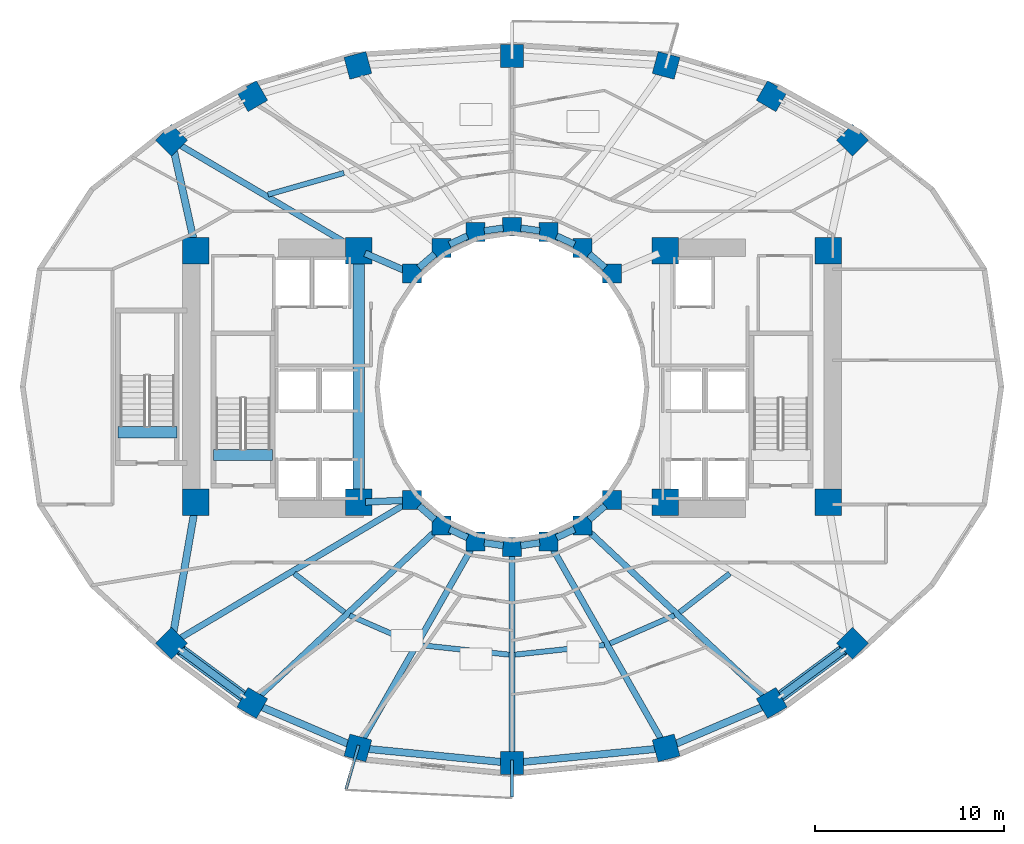
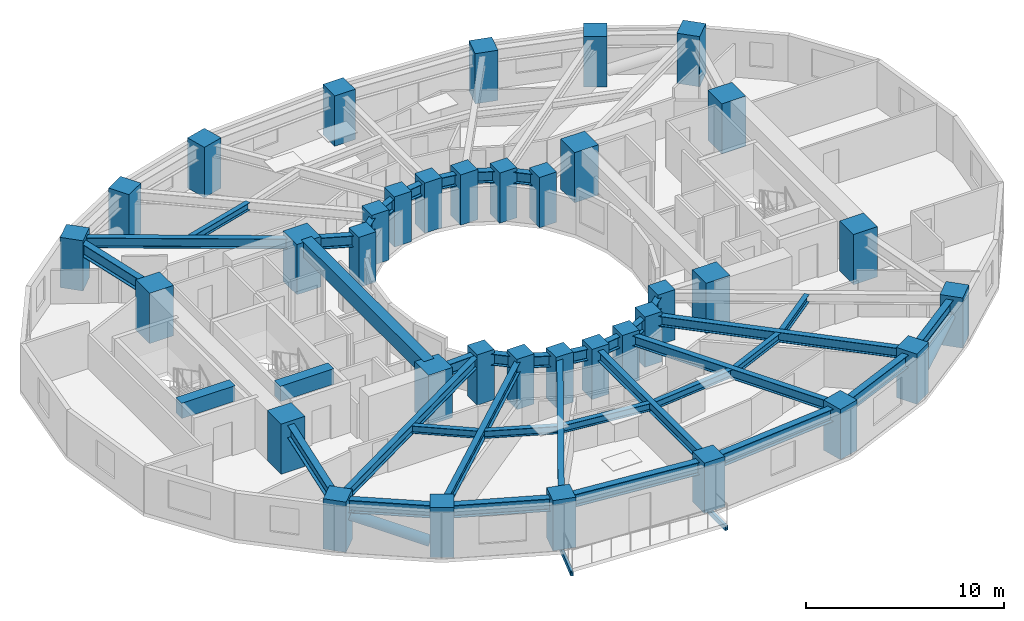
# One storey, part 1 of 10: 41 beams, 36 columns, 2 members.
"""IFC4 building model written with IfcOpenShell, lengths in metres."""

import ifcopenshell
import ifcopenshell.guid

model = None  # the IFC model being written
_history = None  # IfcOwnerHistory: only IFC2X3 demands one
_inside = {}  # id of a spatial element -> (the spatial element, [elements in it])
_under = {}  # id of a project, library or spatial element -> (it, [spatial elements below it])
_declared = {}  # id of a project -> (the project, [libraries it declares])
_typed = {}  # id of a type object -> (the type object, [elements of that type])
_made_of = {}  # id of a material, layer set ... -> (it, [elements and type objects made of it])


def new_model(schema):
    """Start an empty IFC model of exactly this schema.

    Asked for "IFC4X3", IfcOpenShell would pick the latest addendum, in which some entities
    have other attributes; the version numbers below select the first issue.
    IFC2X3 requires an IfcOwnerHistory on every rooted entity: one is made here for all.
    """
    global model, _history
    if schema == "IFC4X3":
        model = ifcopenshell.file(schema_version=(4, 3, 0, 0))
    else:
        model = ifcopenshell.file(schema=schema)
    _inside.clear()
    _under.clear()
    _declared.clear()
    _typed.clear()
    _made_of.clear()
    _history = None
    if model.schema == "IFC2X3":
        org = make("IfcOrganization", Name="unknown")
        user = make(
            "IfcPersonAndOrganization",
            ThePerson=make("IfcPerson", FamilyName="unknown"),
            TheOrganization=org,
        )
        app = make(
            "IfcApplication",
            ApplicationDeveloper=org,
            Version="unknown",
            ApplicationFullName="unknown",
            ApplicationIdentifier="unknown",
        )
        _history = make(
            "IfcOwnerHistory",
            OwningUser=user,
            OwningApplication=app,
            ChangeAction="ADDED",
            CreationDate=0,
        )
    return model


def make(cls, **values):
    """One entity of the class cls with the attributes given. An attribute that is None is left unset."""
    return model.create_entity(
        cls, **{name: value for name, value in values.items() if value is not None}
    )


def rooted(cls, **values):
    """An entity with a GlobalId (a new one), such as an element, a storey or a relation."""
    return make(cls, GlobalId=ifcopenshell.guid.new(), OwnerHistory=_history, **values)


def si_unit(unit_type, name, prefix=None):
    """IfcSIUnit, for example si_unit("LENGTHUNIT", "METRE", prefix="MILLI")."""
    return make("IfcSIUnit", UnitType=unit_type, Prefix=prefix, Name=name)


def assignment(units):
    """IfcUnitAssignment: the units of a project."""
    return None if units is None else make("IfcUnitAssignment", Units=units)


def point(xyz):
    """IfcCartesianPoint."""
    return None if xyz is None else make("IfcCartesianPoint", Coordinates=xyz)


def direction(xyz):
    """IfcDirection."""
    return None if xyz is None else make("IfcDirection", DirectionRatios=xyz)


def frame(location, z_axis=None, x_axis=None):
    """IfcAxis2Placement3D, a coordinate frame: its origin and axes. An axis left out is left unset."""
    return make(
        "IfcAxis2Placement3D",
        Location=point(location),
        Axis=direction(z_axis),
        RefDirection=direction(x_axis),
    )


def frame_2d(location, x_axis=None):
    """IfcAxis2Placement2D, a coordinate frame in the plane: its origin and x axis."""
    return make(
        "IfcAxis2Placement2D", Location=point(location), RefDirection=direction(x_axis)
    )


def origin():
    """The frame at (0, 0, 0) with its axes left unset."""
    return frame((0.0, 0.0, 0.0))


def origin_2d():
    """The frame at (0, 0) in the plane with its x axis left unset."""
    return frame_2d((0.0, 0.0))


def place(relative_to, where):
    """IfcLocalPlacement: puts the frame where relative to a parent placement (None: the world)."""
    return make(
        "IfcLocalPlacement", PlacementRelTo=relative_to, RelativePlacement=where
    )


def context(
    kind, dimensions, precision=None, world=None, true_north=None, identifier=None
):
    """IfcGeometricRepresentationContext, for example the 3D "Model" context."""
    return make(
        "IfcGeometricRepresentationContext",
        ContextIdentifier=identifier,
        ContextType=kind,
        CoordinateSpaceDimension=dimensions,
        Precision=precision,
        WorldCoordinateSystem=world,
        TrueNorth=true_north,
    )


def subcontext(parent, identifier, kind, view, scale=None):
    """IfcGeometricRepresentationSubContext, for example "Body" below "Model"."""
    return make(
        "IfcGeometricRepresentationSubContext",
        ContextIdentifier=identifier,
        ContextType=kind,
        ParentContext=parent,
        TargetScale=scale,
        TargetView=view,
    )


def project(units=None, contexts=None):
    """IfcProject with its units and contexts."""
    return rooted(
        "IfcProject",
        Name="project",
        RepresentationContexts=contexts,
        UnitsInContext=assignment(units),
    )


def spatial(cls, under=None, at=None, **own):
    """A site, building, storey or space (cls), placed at a placement, below another one or the project."""
    s = rooted(cls, ObjectPlacement=at, **own)
    if under is not None:
        _under.setdefault(under.id(), (under, []))[1].append(s)
    return s


def profile(cls, at=None, kind="AREA", **sizes):
    """A parametric profile (cls). Its sizes go by their IFC names, for example OverallWidth=200.0."""
    return make(cls, ProfileType=kind, Position=at, **sizes)


def rectangle(**sizes):
    """IfcRectangleProfileDef."""
    return profile("IfcRectangleProfileDef", **sizes)


def hollow_rectangle(**sizes):
    """IfcRectangleHollowProfileDef."""
    return profile("IfcRectangleHollowProfileDef", **sizes)


def hollow_circle(**sizes):
    """IfcCircleHollowProfileDef."""
    return profile("IfcCircleHollowProfileDef", **sizes)


def i_section(**sizes):
    """IfcIShapeProfileDef."""
    return profile("IfcIShapeProfileDef", **sizes)


def extrude(swept, where, along, depth):
    """IfcExtrudedAreaSolid: the profile swept, set in the frame where, extruded along a direction by depth."""
    return make(
        "IfcExtrudedAreaSolid",
        SweptArea=swept,
        Position=where,
        ExtrudedDirection=direction(along),
        Depth=depth,
    )


def shape(context_of_items, identifier, shape_type, items):
    """IfcShapeRepresentation: the items that make up one representation, for example the "Body"."""
    return make(
        "IfcShapeRepresentation",
        ContextOfItems=context_of_items,
        RepresentationIdentifier=identifier,
        RepresentationType=shape_type,
        Items=items,
    )


def material(Name=None, Category=None):
    """IfcMaterial."""
    return make("IfcMaterial", Name=Name, Category=Category)


def material_profile(
    of_material, cross_section, Name=None, Category=None, Priority=None
):
    """IfcMaterialProfile: a cross section and its material."""
    return make(
        "IfcMaterialProfile",
        Name=Name,
        Material=of_material,
        Profile=cross_section,
        Priority=Priority,
        Category=Category,
    )


def profile_set(profiles, Name=None, composite=None):
    """IfcMaterialProfileSet."""
    return make(
        "IfcMaterialProfileSet",
        Name=Name,
        MaterialProfiles=profiles,
        CompositeProfile=composite,
    )


def made_of(thing, what):
    """Note that an element or type object is made of a material, layer set ...; save() writes the relation."""
    if what is not None:
        _made_of.setdefault(what.id(), (what, []))[1].append(thing)
    return thing


def type_object(cls, material=None, **own):
    """A type object (cls), such as IfcWallType, which elements share."""
    return made_of(rooted(cls, **own), material)


def element(
    cls,
    number,
    at=None,
    inside=None,
    cuts=None,
    type_object=None,
    material=None,
    context=None,
    identifier="Body",
    shape_type=None,
    held_by="IfcProductDefinitionShape",
    body=None,
    shapes=None,
    **own,
):
    """One element of the class cls, such as IfcWall. Its Tag is "e" and its number.

    at: its placement. inside: the storey or other place that contains it. cuts: it is an
    opening in that element (IfcRelVoidsElement). A single representation is given by context,
    identifier, shape_type and body (its items); several are given by shapes. held_by: the class
    of the entity that holds the representations. save() writes the other relations.
    """
    e = rooted(cls, Tag="e%d" % number, ObjectPlacement=at, **own)
    if body is not None:
        shapes = [shape(context, identifier, shape_type, body)]
    if shapes is not None:
        e.Representation = make(held_by, Representations=shapes)
    if inside is not None:
        _inside.setdefault(inside.id(), (inside, []))[1].append(e)
    if cuts is not None:
        rooted(
            "IfcRelVoidsElement", RelatingBuildingElement=cuts, RelatedOpeningElement=e
        )
    if type_object is not None:
        _typed.setdefault(type_object.id(), (type_object, []))[1].append(e)
    return made_of(e, material)


def aggregate(whole, parts):
    """IfcRelAggregates: a whole, such as a stair, and the parts it consists of."""
    return rooted("IfcRelAggregates", RelatingObject=whole, RelatedObjects=parts)


def save(model, path):
    """Write the relations noted so far, then the file.

    IfcRelAggregates (storeys below a building ...), IfcRelContainedInSpatialStructure (elements
    in a storey), IfcRelDefinesByType, IfcRelAssociatesMaterial and IfcRelDeclares: one each for
    every whole, place, type object, material and project.
    """
    for whole, parts in _under.values():
        aggregate(whole, parts)
    for where, things in _inside.values():
        rooted(
            "IfcRelContainedInSpatialStructure",
            RelatedElements=things,
            RelatingStructure=where,
        )
    for kind, things in _typed.values():
        rooted("IfcRelDefinesByType", RelatedObjects=things, RelatingType=kind)
    for what, things in _made_of.values():
        rooted("IfcRelAssociatesMaterial", RelatedObjects=things, RelatingMaterial=what)
    for by, libraries in _declared.values():
        rooted("IfcRelDeclares", RelatingContext=by, RelatedDefinitions=libraries)
    model.write(path)


model = new_model("IFC4")

# Units and contexts
model_context = context("Model", 3, precision=1e-05, world=origin(), true_north=direction((0.0, 1.0)))
body_context = subcontext(model_context, "Body", "Model", "MODEL_VIEW")
ifc_project = project(units=[si_unit("LENGTHUNIT", "METRE"), si_unit("AREAUNIT", "SQUARE_METRE"), si_unit("VOLUMEUNIT", "CUBIC_METRE"), si_unit("PLANEANGLEUNIT", "RADIAN"), si_unit("MASSUNIT", "GRAM", prefix="KILO")], contexts=[model_context])

# Site, building, storey
site_placement = place(None, origin())
site = spatial("IfcSite", under=ifc_project, at=site_placement, CompositionType="ELEMENT")
building_placement = place(site_placement, origin())
building = spatial("IfcBuilding", under=site, at=building_placement, Name="Solvane Sanctuary Tower", CompositionType="ELEMENT")
storey_placement = place(building_placement, frame((0.0, 0.0, 58.60009765625)))
storey = spatial("IfcBuildingStorey", under=building, at=storey_placement, Name="L17", CompositionType="ELEMENT", Elevation=58.60009765625)

# Columns
ifc_material_1 = material(Name="Concrete C70/85", Category="concrete")
ifc_material_profile_1 = material_profile(ifc_material_1, rectangle(XDim=1.39990234375, YDim=1.39990234375, at=origin_2d()), Name="RC1400X1400")
ifc_profile_set_1 = profile_set([ifc_material_profile_1], Name="Concrete C70/85")
column_type_1 = type_object("IfcColumnType", Name="Column C-POD-INT RC1400X1400", PredefinedType="COLUMN", material=ifc_profile_set_1)
for number, where, z_axis, x_axis, name in (
    (1, (15.300048828125, 16.89990234375, 0.0), (0.0, 0.0, 1.0), (1.0, 0.0, 0.0), "L17 Core Corner Column CW1"),
    (2, (23.89990234375, 16.89990234375, 0.0), (0.0, 0.0, 1.0), (1.0, 0.0, 0.0), "L17 Core Corner Column CW2"),
    (3, (23.89990234375, 30.199951171875, 0.0), (0.0, 0.0, 1.0), (1.0, 0.0, 0.0), "L17 Core Corner Column CW3"),
    (4, (15.300048828125, 30.199951171875, 0.0), (0.0, 0.0, 1.0), (1.0, 0.0, 0.0), "L17 Core Corner Column CW4"),
    (5, (40.10009765625, 16.89990234375, 0.0), (0.0, 0.0, 1.0), (1.0, 0.0, 0.0), "L17 Core Corner Column CE1"),
    (6, (48.699951171875, 16.89990234375, 0.0), (0.0, 0.0, 1.0), (1.0, 0.0, 0.0), "L17 Core Corner Column CE2"),
    (7, (48.699951171875, 30.199951171875, 0.0), (0.0, 0.0, 1.0), (1.0, 0.0, 0.0), "L17 Core Corner Column CE3"),
    (8, (40.10009765625, 30.199951171875, 0.0), (0.0, 0.0, 1.0), (1.0, 0.0, 0.0), "L17 Core Corner Column CE4"),
):
    element("IfcColumn", number, at=place(storey_placement, frame(where, z_axis=z_axis, x_axis=x_axis)), inside=storey, type_object=column_type_1, Name=name, PredefinedType="COLUMN", context=body_context, shape_type="SweptSolid", body=[
        extrude(rectangle(XDim=1.39990234375, YDim=1.39990234375, at=origin_2d()), origin(), (0.0, 0.0, 1.0), 3.099853515625),
    ])
ifc_material_profile_2 = material_profile(ifc_material_1, rectangle(XDim=1.0, YDim=1.0, at=origin_2d()), Name="RC1000X1000")
ifc_profile_set_2 = profile_set([ifc_material_profile_2], Name="Concrete C70/85")
column_type_2 = type_object("IfcColumnType", Name="Column C-RING-Z1 RC1000X1000", PredefinedType="COLUMN", material=ifc_profile_set_2)
for number, where, z_axis, x_axis, name in (
    (9, (37.27490234375, 28.982177734375, 0.0), (0.0, 0.0, 1.0), (1.0, 0.0, 0.0), "L17 Inner Light-Well Ring Column IC01"),
    (10, (35.72998046875, 30.32666015625, 0.0), (0.0, 0.0, 1.0), (1.0, 0.0, 0.0), "L17 Inner Light-Well Ring Column IC02"),
    (11, (33.930908203125, 31.171630859375, 0.0), (0.0, 0.0, 1.0), (1.0, 0.0, 0.0), "L17 Inner Light-Well Ring Column IC03"),
    (12, (32.0, 31.4599609375, 0.0), (0.0, 0.0, 1.0), (1.0, 0.0, 0.0), "L17 Inner Light-Well Ring Column IC04"),
    (13, (30.069091796875, 31.171630859375, 0.0), (0.0, 0.0, 1.0), (1.0, 0.0, 0.0), "L17 Inner Light-Well Ring Column IC05"),
    (14, (28.27001953125, 30.32666015625, 0.0), (0.0, 0.0, 1.0), (1.0, 0.0, 0.0), "L17 Inner Light-Well Ring Column IC06"),
    (15, (26.72509765625, 28.982177734375, 0.0), (0.0, 0.0, 1.0), (1.0, 0.0, 0.0), "L17 Inner Light-Well Ring Column IC07"),
    (16, (26.72509765625, 17.017822265625, 0.0), (0.0, 0.0, 1.0), (1.0, 0.0, 0.0), "L17 Inner Light-Well Ring Column IC08"),
    (17, (28.27001953125, 15.67333984375, 0.0), (0.0, 0.0, 1.0), (1.0, 0.0, 0.0), "L17 Inner Light-Well Ring Column IC09"),
    (18, (30.069091796875, 14.828369140625, 0.0), (0.0, 0.0, 1.0), (1.0, 0.0, 0.0), "L17 Inner Light-Well Ring Column IC10"),
    (19, (32.0, 14.5400390625, 0.0), (0.0, 0.0, 1.0), (1.0, 0.0, 0.0), "L17 Inner Light-Well Ring Column IC11"),
    (20, (33.930908203125, 14.828369140625, 0.0), (0.0, 0.0, 1.0), (1.0, 0.0, 0.0), "L17 Inner Light-Well Ring Column IC12"),
    (21, (35.72998046875, 15.67333984375, 0.0), (0.0, 0.0, 1.0), (1.0, 0.0, 0.0), "L17 Inner Light-Well Ring Column IC13"),
    (22, (37.27490234375, 17.017822265625, 0.0), (0.0, 0.0, 1.0), (1.0, 0.0, 0.0), "L17 Inner Light-Well Ring Column IC14"),
):
    element("IfcColumn", number, at=place(storey_placement, frame(where, z_axis=z_axis, x_axis=x_axis)), inside=storey, type_object=column_type_2, Name=name, PredefinedType="COLUMN", context=body_context, shape_type="SweptSolid", body=[
        extrude(rectangle(XDim=1.0, YDim=1.0, at=origin_2d()), origin(), (0.0, 0.0, 1.0), 3.099853515625),
    ])
ifc_material_profile_3 = material_profile(ifc_material_1, rectangle(XDim=1.199951171875, YDim=1.199951171875, at=origin_2d()), Name="RC1200X1200")
ifc_profile_set_3 = profile_set([ifc_material_profile_3], Name="Concrete C70/85")
column_type_3 = type_object("IfcColumnType", Name="Column C-TUBE-Z1 RC1200X1200", PredefinedType="COLUMN", material=ifc_profile_set_3)
for number, where, z_axis, x_axis, name in (
    (23, (49.99169921875, 36.035400390625, 0.0), (0.0, 0.0, 1.0), (0.707106781187, 0.707106781187, 0.0), "L17 Perimeter Tube Column TC01"),
    (24, (45.727294921875, 38.359375, 0.0), (0.0, 0.0, 1.0), (0.5, 0.866025403784, 0.0), "L17 Perimeter Tube Column TC02"),
    (25, (40.14501953125, 39.985595703125, 0.0), (0.0, 0.0, 1.0), (0.258819045103, 0.965925826289, 0.0), "L17 Perimeter Tube Column TC03"),
    (26, (32.0, 40.47998046875, 0.0), (0.0, 0.0, 1.0), (0.0, 1.0, 0.0), "L17 Perimeter Tube Column TC04"),
    (27, (23.85498046875, 39.985595703125, 0.0), (0.0, 0.0, 1.0), (-0.258819045103, 0.965925826289, 0.0), "L17 Perimeter Tube Column TC05"),
    (28, (18.272705078125, 38.359375, 0.0), (0.0, 0.0, 1.0), (-0.5, 0.866025403784, 0.0), "L17 Perimeter Tube Column TC06"),
    (29, (14.00830078125, 36.035400390625, 0.0), (0.0, 0.0, 1.0), (-0.707106781187, 0.707106781187, 0.0), "L17 Perimeter Tube Column TC07"),
    (30, (14.00830078125, 9.4462890625, 0.0), (0.0, 0.0, 1.0), (-0.707106781187, -0.707106781187, 0.0), "L17 Perimeter Tube Column TC08"),
    (31, (18.272705078125, 6.2958984375, 0.0), (0.0, 0.0, 1.0), (-0.5, -0.866025403784, 0.0), "L17 Perimeter Tube Column TC09"),
    (32, (23.85498046875, 3.916259765625, 0.0), (0.0, 0.0, 1.0), (-0.258819045103, -0.965925826289, 0.0), "L17 Perimeter Tube Column TC10"),
    (33, (32.0, 3.1201171875, 0.0), (0.0, 0.0, 1.0), (0.0, -1.0, 0.0), "L17 Perimeter Tube Column TC11"),
    (34, (40.14501953125, 3.916259765625, 0.0), (0.0, 0.0, 1.0), (0.258819045103, -0.965925826289, 0.0), "L17 Perimeter Tube Column TC12"),
    (35, (45.727294921875, 6.2958984375, 0.0), (0.0, 0.0, 1.0), (0.5, -0.866025403784, 0.0), "L17 Perimeter Tube Column TC13"),
    (36, (49.99169921875, 9.4462890625, 0.0), (0.0, 0.0, 1.0), (0.707106781187, -0.707106781187, 0.0), "L17 Perimeter Tube Column TC14"),
):
    element("IfcColumn", number, at=place(storey_placement, frame(where, z_axis=z_axis, x_axis=x_axis)), inside=storey, type_object=column_type_3, Name=name, PredefinedType="COLUMN", context=body_context, shape_type="SweptSolid", body=[
        extrude(rectangle(XDim=1.199951171875, YDim=1.199951171875, at=origin_2d()), origin(), (0.0, 0.0, 1.0), 3.099853515625),
    ])

# Beams
ifc_material_2 = material(Name="Steel ASTM A500 Grade C", Category="steel")
ifc_material_profile_4 = material_profile(ifc_material_2, hollow_rectangle(XDim=0.14990234375, YDim=0.300048828125, WallThickness=0.010009765625, at=origin_2d()), Name="HSS300X150X10")
ifc_profile_set_4 = profile_set([ifc_material_profile_4], Name="Steel ASTM A500 Grade C")
beam_type_1 = type_object("IfcBeamType", Name="Beam B-BALC-BRK HSS300X150X10", PredefinedType="BEAM", material=ifc_profile_set_4)
beam_1_placement = place(storey_placement, frame((23.896484375, 4.060302734375, -0.3720703125), z_axis=(-0.276710107222, -0.960953441412, 0.0), x_axis=(0.960953441412, -0.276710107222, 0.0)))
element("IfcBeam", 37, at=beam_1_placement, inside=storey, type_object=beam_type_1, Name="L17 Balcony Bracket SC-1", PredefinedType="BEAM", context=body_context, shape_type="SweptSolid", body=[
    extrude(hollow_rectangle(XDim=0.14990234375, YDim=0.300048828125, WallThickness=0.010009765625, at=origin_2d()), origin(), (0.0, 0.0, 1.0), 2.414794921875),
])
beam_2_placement = place(storey_placement, frame((32.0, 3.27001953125, -0.3720703125), z_axis=(0.0, -1.0, 0.0), x_axis=(1.0, 0.0, 0.0)))
element("IfcBeam", 38, at=beam_2_placement, inside=storey, type_object=beam_type_1, Name="L17 Balcony Bracket SC-2", PredefinedType="BEAM", context=body_context, shape_type="SweptSolid", body=[
    extrude(hollow_rectangle(XDim=0.14990234375, YDim=0.300048828125, WallThickness=0.010009765625, at=origin_2d()), origin(), (0.0, 0.0, 1.0), 1.95556640625),
])
ifc_material_profile_5 = material_profile(ifc_material_1, rectangle(XDim=0.60009765625, YDim=0.949951171875, at=origin_2d()), Name="RC600X950")
ifc_profile_set_5 = profile_set([ifc_material_profile_5], Name="Concrete C70/85")
beam_type_2 = type_object("IfcBeamType", Name="Beam B-COUPLE RC600X950", PredefinedType="LINTEL", material=ifc_profile_set_5)
beam_3_placement = place(storey_placement, frame((23.89990234375, 17.35009765625, 2.625), z_axis=(0.0, 1.0, 0.0), x_axis=(-1.0, 0.0, 0.0)))
element("IfcBeam", 39, at=beam_3_placement, inside=storey, type_object=beam_type_2, Name="L17 West Core Coupling Lintel", PredefinedType="LINTEL", context=body_context, shape_type="SweptSolid", body=[
    extrude(rectangle(XDim=0.60009765625, YDim=0.949951171875, at=origin_2d()), origin(), (0.0, 0.0, 1.0), 12.39990234375),
])
for number, where, z_axis, x_axis, name in (
    (40, (16.22998046875, 19.399169921875, 2.625), (1.0, 0.0, 0.0), (0.0, 1.0, 0.0), "L17 ST-1 Stair Floor Landing Trimmer"),
    (41, (11.169921875, 20.59912109375, 2.625), (1.0, 0.0, 0.0), (0.0, 1.0, 0.0), "L17 ST-3 Stair Floor Landing Trimmer"),
):
    element("IfcBeam", number, at=place(storey_placement, frame(where, z_axis=z_axis, x_axis=x_axis)), inside=storey, type_object=beam_type_2, Name=name, PredefinedType="LINTEL", context=body_context, shape_type="SweptSolid", body=[
        extrude(rectangle(XDim=0.60009765625, YDim=0.949951171875, at=origin_2d()), origin(), (0.0, 0.0, 1.0), 3.1201171875),
    ])
ifc_material_3 = material(Name="Steel ASTM A992 Grade 50", Category="steel")
ifc_material_profile_6 = material_profile(ifc_material_3, i_section(OverallWidth=0.323974609375, OverallDepth=0.611083984375, WebThickness=0.0126953125, FlangeThickness=0.01904296875, FilletRadius=0.01611328125, at=origin_2d()), Name="W24X104")
ifc_profile_set_6 = profile_set([ifc_material_profile_6], Name="Steel ASTM A992 Grade 50")
beam_type_3 = type_object("IfcBeamType", Name="Beam B-RAD-Z1 W24X104", PredefinedType="BEAM", material=ifc_profile_set_6)
beam_4_placement = place(storey_placement, frame((23.58984375, 30.3828125, 2.572509765625), z_axis=(-0.861291129905, 0.508111788435, 0.0), x_axis=(-0.508111788435, -0.861291129905, 0.0)))
element("IfcBeam", 42, at=beam_4_placement, inside=storey, type_object=beam_type_3, Name="L17 Radial Composite Floor Beam 07", PredefinedType="BEAM", context=body_context, shape_type="SweptSolid", body=[
    extrude(i_section(OverallWidth=0.323974609375, OverallDepth=0.611083984375, WebThickness=0.0126953125, FlangeThickness=0.01904296875, FilletRadius=0.01611328125, at=origin_2d()), origin(), (0.0, 0.0, 1.0), 10.844482421875),
])
beam_5_placement = place(storey_placement, frame((26.484375, 16.874755859375, 2.572509765625), z_axis=(-0.859229187027, -0.511590856214, 0.0), x_axis=(0.511590856214, -0.859229187027, 0.0)))
element("IfcBeam", 43, at=beam_5_placement, inside=storey, type_object=beam_type_3, Name="L17 Radial Composite Floor Beam 08", PredefinedType="BEAM", context=body_context, shape_type="SweptSolid", body=[
    extrude(i_section(OverallWidth=0.323974609375, OverallDepth=0.611083984375, WebThickness=0.0126953125, FlangeThickness=0.01904296875, FilletRadius=0.01611328125, at=origin_2d()), origin(), (0.0, 0.0, 1.0), 14.240234375),
])
beam_6_placement = place(storey_placement, frame((28.06591796875, 15.481689453125, 2.572509765625), z_axis=(-0.729363446859, -0.68412642281, 0.0), x_axis=(0.68412642281, -0.729363446859, 0.0)))
element("IfcBeam", 44, at=beam_6_placement, inside=storey, type_object=beam_type_3, Name="L17 Radial Composite Floor Beam 09", PredefinedType="BEAM", context=body_context, shape_type="SweptSolid", body=[
    extrude(i_section(OverallWidth=0.323974609375, OverallDepth=0.611083984375, WebThickness=0.0126953125, FlangeThickness=0.01904296875, FilletRadius=0.01611328125, at=origin_2d()), origin(), (0.0, 0.0, 1.0), 13.14697265625),
])
beam_7_placement = place(storey_placement, frame((29.9306640625, 14.5849609375, 2.572509765625), z_axis=(-0.494862949167, -0.868971036078, 0.0), x_axis=(0.868971036078, -0.494862949167, 0.0)))
element("IfcBeam", 45, at=beam_7_placement, inside=storey, type_object=beam_type_3, Name="L17 Radial Composite Floor Beam 10", PredefinedType="BEAM", context=body_context, shape_type="SweptSolid", body=[
    extrude(i_section(OverallWidth=0.323974609375, OverallDepth=0.611083984375, WebThickness=0.0126953125, FlangeThickness=0.01904296875, FilletRadius=0.01611328125, at=origin_2d()), origin(), (0.0, 0.0, 1.0), 11.997314453125),
])
beam_8_placement = place(storey_placement, frame((32.0, 14.260009765625, 2.572509765625), z_axis=(0.0, -1.0, 0.0), x_axis=(1.0, 0.0, 0.0)))
element("IfcBeam", 46, at=beam_8_placement, inside=storey, type_object=beam_type_3, Name="L17 Radial Composite Floor Beam 11", PredefinedType="BEAM", context=body_context, shape_type="SweptSolid", body=[
    extrude(i_section(OverallWidth=0.323974609375, OverallDepth=0.611083984375, WebThickness=0.0126953125, FlangeThickness=0.01904296875, FilletRadius=0.01611328125, at=origin_2d()), origin(), (0.0, 0.0, 1.0), 10.860107421875),
])
beam_9_placement = place(storey_placement, frame((34.0693359375, 14.5849609375, 2.572509765625), z_axis=(0.494862949167, -0.868971036078, 0.0), x_axis=(0.868971036078, 0.494862949167, 0.0)))
element("IfcBeam", 47, at=beam_9_placement, inside=storey, type_object=beam_type_3, Name="L17 Radial Composite Floor Beam 12", PredefinedType="BEAM", context=body_context, shape_type="SweptSolid", body=[
    extrude(i_section(OverallWidth=0.323974609375, OverallDepth=0.611083984375, WebThickness=0.0126953125, FlangeThickness=0.01904296875, FilletRadius=0.01611328125, at=origin_2d()), origin(), (0.0, 0.0, 1.0), 11.997314453125),
])
beam_10_placement = place(storey_placement, frame((35.93408203125, 15.481689453125, 2.572509765625), z_axis=(0.729363446859, -0.68412642281, 0.0), x_axis=(0.68412642281, 0.729363446859, 0.0)))
element("IfcBeam", 48, at=beam_10_placement, inside=storey, type_object=beam_type_3, Name="L17 Radial Composite Floor Beam 13", PredefinedType="BEAM", context=body_context, shape_type="SweptSolid", body=[
    extrude(i_section(OverallWidth=0.323974609375, OverallDepth=0.611083984375, WebThickness=0.0126953125, FlangeThickness=0.01904296875, FilletRadius=0.01611328125, at=origin_2d()), origin(), (0.0, 0.0, 1.0), 13.14697265625),
])
ifc_material_profile_7 = material_profile(ifc_material_3, i_section(OverallWidth=0.35498046875, OverallDepth=0.695068359375, WebThickness=0.015380859375, FlangeThickness=0.02490234375, FilletRadius=0.01806640625, at=origin_2d()), Name="W27X146")
ifc_profile_set_7 = profile_set([ifc_material_profile_7], Name="Steel ASTM A992 Grade 50")
beam_type_4 = type_object("IfcBeamType", Name="Beam B-RING-IN1 W27X146", PredefinedType="BEAM", material=ifc_profile_set_7)
beam_11_placement = place(storey_placement, frame((24.230712890625, 30.0576171875, 2.530517578125), z_axis=(0.918277080365, -0.395938383687, 0.0), x_axis=(0.395938383687, 0.918277080365, 0.0)))
element("IfcBeam", 49, at=beam_11_placement, inside=storey, type_object=beam_type_4, Name="L17 Inner Light-Well Ring Beam CW3-IC07", PredefinedType="BEAM", context=body_context, shape_type="SweptSolid", body=[
    extrude(i_section(OverallWidth=0.35498046875, OverallDepth=0.695068359375, WebThickness=0.015380859375, FlangeThickness=0.02490234375, FilletRadius=0.01806640625, at=origin_2d()), origin(), (0.0, 0.0, 1.0), 2.246337890625),
])
beam_12_placement = place(storey_placement, frame((27.07958984375, 29.29052734375, 2.530517578125), z_axis=(0.754320881993, 0.65650590781, 0.0), x_axis=(-0.65650590781, 0.754320881993, 0.0)))
element("IfcBeam", 50, at=beam_12_placement, inside=storey, type_object=beam_type_4, Name="L17 Inner Light-Well Ring Beam IC07-IC06", PredefinedType="BEAM", context=body_context, shape_type="SweptSolid", body=[
    extrude(i_section(OverallWidth=0.35498046875, OverallDepth=0.695068359375, WebThickness=0.015380859375, FlangeThickness=0.02490234375, FilletRadius=0.01806640625, at=origin_2d()), origin(), (0.0, 0.0, 1.0), 1.108154296875),
])
beam_13_placement = place(storey_placement, frame((28.6953125, 30.5263671875, 2.530517578125), z_axis=(0.905108885866, 0.42517984986, 0.0), x_axis=(-0.42517984986, 0.905108885866, 0.0)))
element("IfcBeam", 51, at=beam_13_placement, inside=storey, type_object=beam_type_4, Name="L17 Inner Light-Well Ring Beam IC06-IC05", PredefinedType="BEAM", context=body_context, shape_type="SweptSolid", body=[
    extrude(i_section(OverallWidth=0.35498046875, OverallDepth=0.695068359375, WebThickness=0.015380859375, FlangeThickness=0.02490234375, FilletRadius=0.01806640625, at=origin_2d()), origin(), (0.0, 0.0, 1.0), 1.0478515625),
])
for number, where, z_axis, x_axis, name in (
    (52, (30.533935546875, 31.2412109375, 2.530517578125), (0.989047520133, 0.147597435338, 0.0), (-0.147597435338, 0.989047520133, 0.0), "L17 Inner Light-Well Ring Beam IC05-IC04"),
    (53, (32.46484375, 31.390625, 2.530517578125), (0.989047520133, -0.147597435338, 0.0), (0.147597435338, 0.989047520133, 0.0), "L17 Inner Light-Well Ring Beam IC04-IC03"),
):
    element("IfcBeam", number, at=place(storey_placement, frame(where, z_axis=z_axis, x_axis=x_axis)), inside=storey, type_object=beam_type_4, Name=name, PredefinedType="BEAM", context=body_context, shape_type="SweptSolid", body=[
        extrude(i_section(OverallWidth=0.35498046875, OverallDepth=0.695068359375, WebThickness=0.015380859375, FlangeThickness=0.02490234375, FilletRadius=0.01806640625, at=origin_2d()), origin(), (0.0, 0.0, 1.0), 1.01220703125),
    ])
beam_14_placement = place(storey_placement, frame((34.356201171875, 30.971923828125, 2.530517578125), z_axis=(0.905108885866, -0.42517984986, 0.0), x_axis=(0.42517984986, 0.905108885866, 0.0)))
element("IfcBeam", 54, at=beam_14_placement, inside=storey, type_object=beam_type_4, Name="L17 Inner Light-Well Ring Beam IC03-IC02", PredefinedType="BEAM", context=body_context, shape_type="SweptSolid", body=[
    extrude(i_section(OverallWidth=0.35498046875, OverallDepth=0.695068359375, WebThickness=0.015380859375, FlangeThickness=0.02490234375, FilletRadius=0.01806640625, at=origin_2d()), origin(), (0.0, 0.0, 1.0), 1.0478515625),
])
beam_15_placement = place(storey_placement, frame((36.08447265625, 30.01806640625, 2.530517578125), z_axis=(0.754320881993, -0.65650590781, 0.0), x_axis=(0.65650590781, 0.754320881993, 0.0)))
element("IfcBeam", 55, at=beam_15_placement, inside=storey, type_object=beam_type_4, Name="L17 Inner Light-Well Ring Beam IC02-IC01", PredefinedType="BEAM", context=body_context, shape_type="SweptSolid", body=[
    extrude(i_section(OverallWidth=0.35498046875, OverallDepth=0.695068359375, WebThickness=0.015380859375, FlangeThickness=0.02490234375, FilletRadius=0.01806640625, at=origin_2d()), origin(), (0.0, 0.0, 1.0), 1.108154296875),
])
beam_16_placement = place(storey_placement, frame((24.259765625, 16.9150390625, 2.530517578125), z_axis=(0.999130953379, 0.041681386726, 0.0), x_axis=(-0.041681386726, 0.999130953379, 0.0)))
element("IfcBeam", 56, at=beam_16_placement, inside=storey, type_object=beam_type_4, Name="L17 Inner Light-Well Ring Beam CW2-IC08", PredefinedType="BEAM", context=body_context, shape_type="SweptSolid", body=[
    extrude(i_section(OverallWidth=0.35498046875, OverallDepth=0.695068359375, WebThickness=0.015380859375, FlangeThickness=0.02490234375, FilletRadius=0.01806640625, at=origin_2d()), origin(), (0.0, 0.0, 1.0), 1.997314453125),
])
beam_17_placement = place(storey_placement, frame((27.07958984375, 16.70947265625, 2.530517578125), z_axis=(0.754320881993, -0.65650590781, 0.0), x_axis=(0.65650590781, 0.754320881993, 0.0)))
element("IfcBeam", 57, at=beam_17_placement, inside=storey, type_object=beam_type_4, Name="L17 Inner Light-Well Ring Beam IC08-IC09", PredefinedType="BEAM", context=body_context, shape_type="SweptSolid", body=[
    extrude(i_section(OverallWidth=0.35498046875, OverallDepth=0.695068359375, WebThickness=0.015380859375, FlangeThickness=0.02490234375, FilletRadius=0.01806640625, at=origin_2d()), origin(), (0.0, 0.0, 1.0), 1.108154296875),
])
beam_18_placement = place(storey_placement, frame((28.6953125, 15.4736328125, 2.530517578125), z_axis=(0.905108885866, -0.42517984986, 0.0), x_axis=(0.42517984986, 0.905108885866, 0.0)))
element("IfcBeam", 58, at=beam_18_placement, inside=storey, type_object=beam_type_4, Name="L17 Inner Light-Well Ring Beam IC09-IC10", PredefinedType="BEAM", context=body_context, shape_type="SweptSolid", body=[
    extrude(i_section(OverallWidth=0.35498046875, OverallDepth=0.695068359375, WebThickness=0.015380859375, FlangeThickness=0.02490234375, FilletRadius=0.01806640625, at=origin_2d()), origin(), (0.0, 0.0, 1.0), 1.0478515625),
])
for number, where, z_axis, x_axis, name in (
    (59, (30.533935546875, 14.7587890625, 2.530517578125), (0.989047520133, -0.147597435338, 0.0), (0.147597435338, 0.989047520133, 0.0), "L17 Inner Light-Well Ring Beam IC10-IC11"),
    (60, (32.46484375, 14.609375, 2.530517578125), (0.989047520133, 0.147597435338, 0.0), (-0.147597435338, 0.989047520133, 0.0), "L17 Inner Light-Well Ring Beam IC11-IC12"),
):
    element("IfcBeam", number, at=place(storey_placement, frame(where, z_axis=z_axis, x_axis=x_axis)), inside=storey, type_object=beam_type_4, Name=name, PredefinedType="BEAM", context=body_context, shape_type="SweptSolid", body=[
        extrude(i_section(OverallWidth=0.35498046875, OverallDepth=0.695068359375, WebThickness=0.015380859375, FlangeThickness=0.02490234375, FilletRadius=0.01806640625, at=origin_2d()), origin(), (0.0, 0.0, 1.0), 1.01220703125),
    ])
beam_19_placement = place(storey_placement, frame((34.356201171875, 15.028076171875, 2.530517578125), z_axis=(0.905108885866, 0.42517984986, 0.0), x_axis=(-0.42517984986, 0.905108885866, 0.0)))
element("IfcBeam", 61, at=beam_19_placement, inside=storey, type_object=beam_type_4, Name="L17 Inner Light-Well Ring Beam IC12-IC13", PredefinedType="BEAM", context=body_context, shape_type="SweptSolid", body=[
    extrude(i_section(OverallWidth=0.35498046875, OverallDepth=0.695068359375, WebThickness=0.015380859375, FlangeThickness=0.02490234375, FilletRadius=0.01806640625, at=origin_2d()), origin(), (0.0, 0.0, 1.0), 1.0478515625),
])
beam_20_placement = place(storey_placement, frame((36.08447265625, 15.98193359375, 2.530517578125), z_axis=(0.754320881993, 0.65650590781, 0.0), x_axis=(-0.65650590781, 0.754320881993, 0.0)))
element("IfcBeam", 62, at=beam_20_placement, inside=storey, type_object=beam_type_4, Name="L17 Inner Light-Well Ring Beam IC13-IC14", PredefinedType="BEAM", context=body_context, shape_type="SweptSolid", body=[
    extrude(i_section(OverallWidth=0.35498046875, OverallDepth=0.695068359375, WebThickness=0.015380859375, FlangeThickness=0.02490234375, FilletRadius=0.01806640625, at=origin_2d()), origin(), (0.0, 0.0, 1.0), 1.108154296875),
])
ifc_material_profile_8 = material_profile(ifc_material_3, i_section(OverallWidth=0.280029296875, OverallDepth=0.462890625, WebThickness=0.0107421875, FlangeThickness=0.017333984375, FilletRadius=0.013916015625, at=origin_2d()), Name="W18X76")
ifc_profile_set_8 = profile_set([ifc_material_profile_8], Name="Steel ASTM A992 Grade 50")
beam_type_5 = type_object("IfcBeamType", Name="Beam B-SEC-JOIST W18X76", PredefinedType="JOIST", material=ifc_profile_set_8)
beam_21_placement = place(storey_placement, frame((19.10498046875, 33.160400390625, 2.646484375), z_axis=(0.962003645121, 0.273036603358, 0.0), x_axis=(-0.273036603358, 0.962003645121, 0.0)))
element("IfcBeam", 63, at=beam_21_placement, inside=storey, type_object=beam_type_5, Name="L17 Secondary Circumferential Joist 07-06", PredefinedType="JOIST", context=body_context, shape_type="SweptSolid", body=[
    extrude(i_section(OverallWidth=0.280029296875, OverallDepth=0.462890625, WebThickness=0.0107421875, FlangeThickness=0.017333984375, FilletRadius=0.013916015625, at=origin_2d()), origin(), (0.0, 0.0, 1.0), 4.174072265625),
])
beam_22_placement = place(storey_placement, frame((20.49072265625, 13.135986328125, 2.646484375), z_axis=(0.790934777094, -0.611900464441, 0.0), x_axis=(0.611900464441, 0.790934777094, 0.0)))
element("IfcBeam", 64, at=beam_22_placement, inside=storey, type_object=beam_type_5, Name="L17 Secondary Circumferential Joist 08-09", PredefinedType="JOIST", context=body_context, shape_type="SweptSolid", body=[
    extrude(i_section(OverallWidth=0.280029296875, OverallDepth=0.462890625, WebThickness=0.0107421875, FlangeThickness=0.017333984375, FilletRadius=0.013916015625, at=origin_2d()), origin(), (0.0, 0.0, 1.0), 3.358642578125),
])
beam_23_placement = place(storey_placement, frame((23.415283203125, 10.921875, 2.646484375), z_axis=(0.916382007922, -0.400304903238, 0.0), x_axis=(0.400304903238, 0.916382007922, 0.0)))
element("IfcBeam", 65, at=beam_23_placement, inside=storey, type_object=beam_type_5, Name="L17 Secondary Circumferential Joist 09-10", PredefinedType="JOIST", context=body_context, shape_type="SweptSolid", body=[
    extrude(i_section(OverallWidth=0.280029296875, OverallDepth=0.462890625, WebThickness=0.0107421875, FlangeThickness=0.017333984375, FilletRadius=0.013916015625, at=origin_2d()), origin(), (0.0, 0.0, 1.0), 3.713623046875),
])
for number, where, z_axis, x_axis, name in (
    (66, (27.118408203125, 9.35546875, 2.646484375), (0.994253832067, -0.107048201386, 0.0), (0.107048201386, 0.994253832067, 0.0), "L17 Secondary Circumferential Joist 10-11"),
    (67, (32.156005859375, 8.8466796875, 2.646484375), (0.994253832067, 0.107048201386, 0.0), (-0.107048201386, 0.994253832067, 0.0), "L17 Secondary Circumferential Joist 11-12"),
):
    element("IfcBeam", number, at=place(storey_placement, frame(where, z_axis=z_axis, x_axis=x_axis)), inside=storey, type_object=beam_type_5, Name=name, PredefinedType="JOIST", context=body_context, shape_type="SweptSolid", body=[
        extrude(i_section(OverallWidth=0.280029296875, OverallDepth=0.462890625, WebThickness=0.0107421875, FlangeThickness=0.017333984375, FilletRadius=0.013916015625, at=origin_2d()), origin(), (0.0, 0.0, 1.0), 4.7529296875),
    ])
beam_24_placement = place(storey_placement, frame((37.181640625, 9.435302734375, 2.646484375), z_axis=(0.916382007922, 0.400304903238, 0.0), x_axis=(-0.400304903238, 0.916382007922, 0.0)))
element("IfcBeam", 68, at=beam_24_placement, inside=storey, type_object=beam_type_5, Name="L17 Secondary Circumferential Joist 12-13", PredefinedType="JOIST", context=body_context, shape_type="SweptSolid", body=[
    extrude(i_section(OverallWidth=0.280029296875, OverallDepth=0.462890625, WebThickness=0.0107421875, FlangeThickness=0.017333984375, FilletRadius=0.013916015625, at=origin_2d()), origin(), (0.0, 0.0, 1.0), 3.713623046875),
])
beam_25_placement = place(storey_placement, frame((40.852783203125, 11.080810546875, 2.646484375), z_axis=(0.790934777094, 0.611900464441, 0.0), x_axis=(-0.611900464441, 0.790934777094, 0.0)))
element("IfcBeam", 69, at=beam_25_placement, inside=storey, type_object=beam_type_5, Name="L17 Secondary Circumferential Joist 13-14", PredefinedType="JOIST", context=body_context, shape_type="SweptSolid", body=[
    extrude(i_section(OverallWidth=0.280029296875, OverallDepth=0.462890625, WebThickness=0.0107421875, FlangeThickness=0.017333984375, FilletRadius=0.013916015625, at=origin_2d()), origin(), (0.0, 0.0, 1.0), 3.358642578125),
])
ifc_material_profile_9 = material_profile(ifc_material_3, i_section(OverallWidth=0.382080078125, OverallDepth=0.779052734375, WebThickness=0.01806640625, FlangeThickness=0.030029296875, FilletRadius=0.02001953125, at=origin_2d()), Name="W30X191")
ifc_profile_set_9 = profile_set([ifc_material_profile_9], Name="Steel ASTM A992 Grade 50")
beam_type_6 = type_object("IfcBeamType", Name="Beam B-SPAND-Z1 W30X191", PredefinedType="SPANDREL", material=ifc_profile_set_9)
beam_26_placement = place(storey_placement, frame((15.239501953125, 30.473388671875, 2.48828125), z_axis=(-0.216123846648, 0.976365957472, 0.0), x_axis=(-0.976365957472, -0.216123846648, 0.0)))
element("IfcBeam", 70, at=beam_26_placement, inside=storey, type_object=beam_type_6, Name="L17 Perimeter Spandrel Beam CW4-TC07", PredefinedType="SPANDREL", context=body_context, shape_type="SweptSolid", body=[
    extrude(i_section(OverallWidth=0.382080078125, OverallDepth=0.779052734375, WebThickness=0.01806640625, FlangeThickness=0.030029296875, FilletRadius=0.02001953125, at=origin_2d()), origin(), (0.0, 0.0, 1.0), 5.41650390625),
])
beam_27_placement = place(storey_placement, frame((15.252197265625, 16.6240234375, 2.48828125), z_axis=(-0.170754238709, -0.985313650551, 0.0), x_axis=(0.985313650551, -0.170754238709, 0.0)))
element("IfcBeam", 71, at=beam_27_placement, inside=storey, type_object=beam_type_6, Name="L17 Perimeter Spandrel Beam CW1-TC08", PredefinedType="SPANDREL", context=body_context, shape_type="SweptSolid", body=[
    extrude(i_section(OverallWidth=0.382080078125, OverallDepth=0.779052734375, WebThickness=0.01806640625, FlangeThickness=0.030029296875, FilletRadius=0.02001953125, at=origin_2d()), origin(), (0.0, 0.0, 1.0), 7.00439453125),
])
beam_28_placement = place(storey_placement, frame((14.2333984375, 9.280029296875, 2.48828125), z_axis=(0.804334467125, -0.594176796076, 0.0), x_axis=(0.594176796076, 0.804334467125, 0.0)))
element("IfcBeam", 72, at=beam_28_placement, inside=storey, type_object=beam_type_6, Name="L17 Perimeter Spandrel Beam TC08-TC09", PredefinedType="SPANDREL", context=body_context, shape_type="SweptSolid", body=[
    extrude(i_section(OverallWidth=0.382080078125, OverallDepth=0.779052734375, WebThickness=0.01806640625, FlangeThickness=0.030029296875, FilletRadius=0.02001953125, at=origin_2d()), origin(), (0.0, 0.0, 1.0), 4.7421875),
])
beam_29_placement = place(storey_placement, frame((18.530517578125, 6.18603515625, 2.48828125), z_axis=(0.919906751835, -0.392137179988, 0.0), x_axis=(0.392137179988, 0.919906751835, 0.0)))
element("IfcBeam", 73, at=beam_29_placement, inside=storey, type_object=beam_type_6, Name="L17 Perimeter Spandrel Beam TC09-TC10", PredefinedType="SPANDREL", context=body_context, shape_type="SweptSolid", body=[
    extrude(i_section(OverallWidth=0.382080078125, OverallDepth=0.779052734375, WebThickness=0.01806640625, FlangeThickness=0.030029296875, FilletRadius=0.02001953125, at=origin_2d()), origin(), (0.0, 0.0, 1.0), 5.508056640625),
])
for number, where, z_axis, x_axis, name in (
    (74, (24.1337890625, 3.88916015625, 2.48828125), (0.995252945064, -0.097322018793, 0.0), (0.097322018793, 0.995252945064, 0.0), "L17 Perimeter Spandrel Beam TC10-TC11"),
    (75, (32.27880859375, 3.147216796875, 2.48828125), (0.995252945064, 0.097322018793, 0.0), (-0.097322018793, 0.995252945064, 0.0), "L17 Perimeter Spandrel Beam TC11-TC12"),
):
    element("IfcBeam", number, at=place(storey_placement, frame(where, z_axis=z_axis, x_axis=x_axis)), inside=storey, type_object=beam_type_6, Name=name, PredefinedType="SPANDREL", context=body_context, shape_type="SweptSolid", body=[
        extrude(i_section(OverallWidth=0.382080078125, OverallDepth=0.779052734375, WebThickness=0.01806640625, FlangeThickness=0.030029296875, FilletRadius=0.02001953125, at=origin_2d()), origin(), (0.0, 0.0, 1.0), 7.62353515625),
    ])
beam_30_placement = place(storey_placement, frame((40.402587890625, 4.026123046875, 2.48828125), z_axis=(0.919906751835, 0.392137179988, 0.0), x_axis=(-0.392137179988, 0.919906751835, 0.0)))
element("IfcBeam", 76, at=beam_30_placement, inside=storey, type_object=beam_type_6, Name="L17 Perimeter Spandrel Beam TC12-TC13", PredefinedType="SPANDREL", context=body_context, shape_type="SweptSolid", body=[
    extrude(i_section(OverallWidth=0.382080078125, OverallDepth=0.779052734375, WebThickness=0.01806640625, FlangeThickness=0.030029296875, FilletRadius=0.02001953125, at=origin_2d()), origin(), (0.0, 0.0, 1.0), 5.508056640625),
])
beam_31_placement = place(storey_placement, frame((45.952392578125, 6.46240234375, 2.48828125), z_axis=(0.804334467125, 0.594176796076, 0.0), x_axis=(-0.594176796076, 0.804334467125, 0.0)))
element("IfcBeam", 77, at=beam_31_placement, inside=storey, type_object=beam_type_6, Name="L17 Perimeter Spandrel Beam TC13-TC14", PredefinedType="SPANDREL", context=body_context, shape_type="SweptSolid", body=[
    extrude(i_section(OverallWidth=0.382080078125, OverallDepth=0.779052734375, WebThickness=0.01806640625, FlangeThickness=0.030029296875, FilletRadius=0.02001953125, at=origin_2d()), origin(), (0.0, 0.0, 1.0), 4.7421875),
])

# Members
ifc_material_profile_10 = material_profile(ifc_material_3, hollow_circle(Radius=0.304931640625, WallThickness=0.01611328125, at=origin_2d()), Name="CHS610X16")
ifc_profile_set_10 = profile_set([ifc_material_profile_10], Name="Steel ASTM A992 Grade 50")
member_type = type_object("IfcMemberType", Name="Member M-TUBE-Z1 CHS610X16", PredefinedType="BRACE", material=ifc_profile_set_10)
for number, where, z_axis, x_axis, name in (
    (78, (17.779541015625, 6.660400390625, 0.578857421875), (-0.765137923591, 0.565199520065, 0.308404702302), (-0.594161791503, -0.804345551065, 0.0), "L17 Perimeter Braced-Tube Diagonal SW"),
    (79, (46.220458984375, 6.660400390625, 0.578857421875), (0.765137923591, 0.565199520065, 0.308404702302), (-0.594161791503, 0.804345551065, 0.0), "L17 Perimeter Braced-Tube Diagonal SE"),
):
    element("IfcMember", number, at=place(storey_placement, frame(where, z_axis=z_axis, x_axis=x_axis)), inside=storey, type_object=member_type, Name=name, PredefinedType="BRACE", context=body_context, shape_type="SweptSolid", body=[
        extrude(hollow_circle(Radius=0.304931640625, WallThickness=0.01611328125, at=origin_2d()), origin(), (0.0, 0.0, 1.0), 4.281005859375),
    ])

save(model, "model.ifc")
